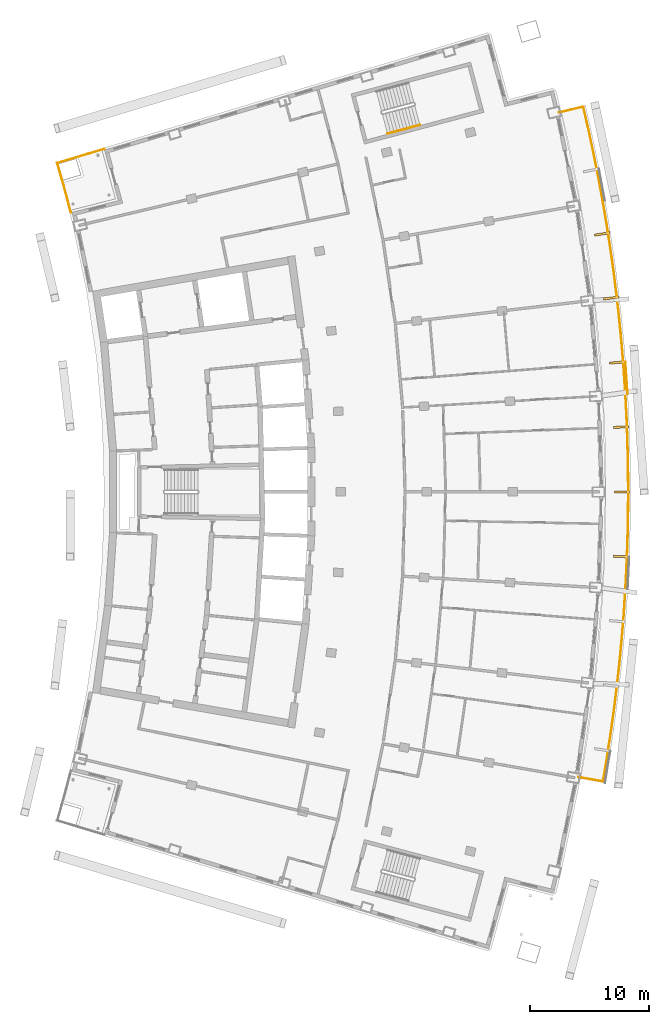
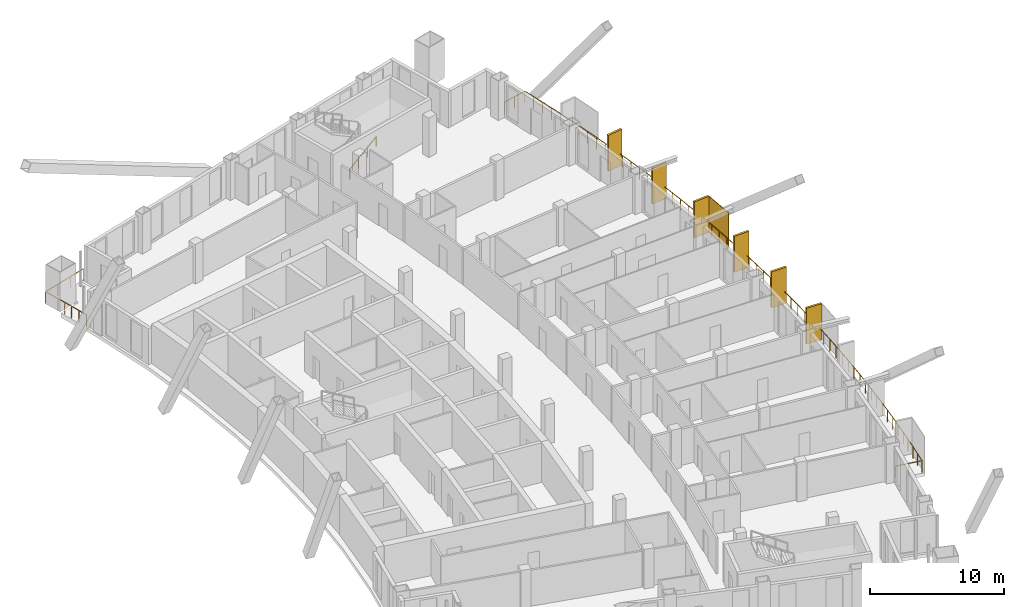
# One storey, part 18 of 19: 7 shading devices, 3 railings.
"""IFC4 building model written with IfcOpenShell, lengths in metres."""

from ifc_helpers import new_model, si_unit, direction, frame, origin, origin_2d, place, context, subcontext, project, spatial, rectangle, extrude, material, layer, layer_set, type_object, element, save


model = new_model("IFC4")

# Units and contexts
model_context = context("Model", 3, precision=1e-05, world=origin(), true_north=direction((0.0, 1.0)))
body_context = subcontext(model_context, "Body", "Model", "MODEL_VIEW")
ifc_project = project(units=[si_unit("LENGTHUNIT", "METRE"), si_unit("AREAUNIT", "SQUARE_METRE"), si_unit("VOLUMEUNIT", "CUBIC_METRE"), si_unit("PLANEANGLEUNIT", "RADIAN"), si_unit("MASSUNIT", "GRAM", prefix="KILO")], contexts=[model_context])

# Site, building, storey
site_placement = place(None, origin())
site = spatial("IfcSite", under=ifc_project, at=site_placement, CompositionType="ELEMENT")
building_placement = place(site_placement, origin())
building = spatial("IfcBuilding", under=site, at=building_placement, Name="Alderwake Tower", CompositionType="ELEMENT")
storey_placement = place(building_placement, frame((0.0, 0.0, 221.60009765625)))
storey = spatial("IfcBuildingStorey", under=building, at=storey_placement, Name="L55", CompositionType="ELEMENT", Elevation=221.60009765625)

# Railings
ifc_material_1 = material(Name="Stainless steel 316 rail and posts", Category="steel")
railing_type_1 = type_object("IfcRailingType", Name="Balcony guard 1100", PredefinedType="GUARDRAIL", material=ifc_material_1)
railing_1_placement = place(storey_placement, frame((55.71240234375, 37.10498046875, 0.0)))
element("IfcRailing", 1, at=railing_1_placement, inside=storey, type_object=railing_type_1, Name="Guard BF04", PredefinedType="GUARDRAIL", context=body_context, shape_type="SweptSolid", body=[
    extrude(rectangle(XDim=0.048095703125, YDim=0.048095703125, at=origin_2d()), frame((0.0, 0.0, 1.076171875), z_axis=(0.984840855066, -0.173460341844, 0.0), x_axis=(0.173460341844, 0.984840855066, 0.0)), (0.0, 0.0, 1.0), 2.099853515625),
    extrude(rectangle(XDim=0.048095703125, YDim=0.048095703125, at=origin_2d()), frame((2.068115234375, -0.3642578125, 1.076171875), z_axis=(0.166602347752, 0.986024166906, 0.0), x_axis=(-0.986024166906, 0.166602347752, 0.0)), (0.0, 0.0, 1.0), 1.940185546875),
    extrude(rectangle(XDim=0.048095703125, YDim=0.048095703125, at=origin_2d()), frame((2.391357421875, 1.548828125, 1.076171875), z_axis=(0.15256970672, 0.988292712, 0.0), x_axis=(-0.988292712, 0.15256970672, 0.0)), (0.0, 0.0, 1.0), 2.040283203125),
    extrude(rectangle(XDim=0.048095703125, YDim=0.048095703125, at=origin_2d()), frame((2.70263671875, 3.565185546875, 1.076171875), z_axis=(0.138086845917, 0.990420124485, 0.0), x_axis=(-0.990420124485, 0.138086845917, 0.0)), (0.0, 0.0, 1.0), 2.040283203125),
    extrude(rectangle(XDim=0.048095703125, YDim=0.048095703125, at=origin_2d()), frame((2.984375, 5.5859375, 1.076171875), z_axis=(0.123622311964, 0.992329342499, 0.0), x_axis=(-0.992329342499, 0.123622311964, 0.0)), (0.0, 0.0, 1.0), 2.0400390625),
    extrude(rectangle(XDim=0.048095703125, YDim=0.048095703125, at=origin_2d()), frame((3.236572265625, 7.6103515625, 1.076171875), z_axis=(0.109131208179, 0.994027353447, 0.0), x_axis=(-0.994027353447, 0.109131208179, 0.0)), (0.0, 0.0, 1.0), 2.040283203125),
    extrude(rectangle(XDim=0.048095703125, YDim=0.048095703125, at=origin_2d()), frame((3.459228515625, 9.638427734375, 1.076171875), z_axis=(0.094656616902, 0.995509982309, 0.0), x_axis=(-0.995509982309, 0.094656616902, 0.0)), (0.0, 0.0, 1.0), 2.040283203125),
    extrude(rectangle(XDim=0.048095703125, YDim=0.048095703125, at=origin_2d()), frame((3.65234375, 11.66943359375, 1.076171875), z_axis=(0.080173257141, 0.996780943257, 0.0), x_axis=(-0.996780943257, 0.080173257141, 0.0)), (0.0, 0.0, 1.0), 2.040283203125),
    extrude(rectangle(XDim=0.048095703125, YDim=0.048095703125, at=origin_2d()), frame((3.81591796875, 13.703125, 1.076171875), z_axis=(0.06558170629, 0.997847202632, 0.0), x_axis=(-0.997847202632, 0.06558170629, 0.0)), (0.0, 0.0, 1.0), 2.0400390625),
    extrude(rectangle(XDim=0.048095703125, YDim=0.048095703125, at=origin_2d()), frame((3.94970703125, 15.73876953125, 1.076171875), z_axis=(0.050976054049, 0.998699875795, 0.0), x_axis=(-0.998699875795, 0.050976054049, 0.0)), (0.0, 0.0, 1.0), 2.040283203125),
    extrude(rectangle(XDim=0.048095703125, YDim=0.048095703125, at=origin_2d()), frame((4.0537109375, 17.7763671875, 1.076171875), z_axis=(0.036498237791, 0.999333717353, 0.0), x_axis=(-0.999333717353, 0.036498237791, 0.0)), (0.0, 0.0, 1.0), 2.040283203125),
    extrude(rectangle(XDim=0.048095703125, YDim=0.048095703125, at=origin_2d()), frame((4.128173828125, 19.815185546875, 1.076171875), z_axis=(0.021778196829, 0.999762826946, 0.0), x_axis=(-0.999762826946, 0.021778196829, 0.0)), (0.0, 0.0, 1.0), 2.040283203125),
    extrude(rectangle(XDim=0.048095703125, YDim=0.048095703125, at=origin_2d()), frame((4.172607421875, 21.85498046875, 1.076171875), z_axis=(0.007299949097, 0.999973355017, 0.0), x_axis=(-0.999973355017, 0.007299949097, 0.0)), (0.0, 0.0, 1.0), 2.0400390625),
    extrude(rectangle(XDim=0.048095703125, YDim=0.048095703125, at=origin_2d()), frame((4.1875, 23.89501953125, 1.076171875), z_axis=(-0.007299949097, 0.999973355017, 0.0), x_axis=(-0.999973355017, -0.007299949097, 0.0)), (0.0, 0.0, 1.0), 2.0400390625),
    extrude(rectangle(XDim=0.048095703125, YDim=0.048095703125, at=origin_2d()), frame((4.172607421875, 25.93505859375, 1.076171875), z_axis=(-0.021778196829, 0.999762826946, 0.0), x_axis=(-0.999762826946, -0.021778196829, 0.0)), (0.0, 0.0, 1.0), 2.040283203125),
    extrude(rectangle(XDim=0.048095703125, YDim=0.048095703125, at=origin_2d()), frame((4.128173828125, 27.974853515625, 1.076171875), z_axis=(-0.036498237791, 0.999333717353, 0.0), x_axis=(-0.999333717353, -0.036498237791, 0.0)), (0.0, 0.0, 1.0), 2.040283203125),
    extrude(rectangle(XDim=0.048095703125, YDim=0.048095703125, at=origin_2d()), frame((4.0537109375, 30.013671875, 1.076171875), z_axis=(-0.050976054049, 0.998699875795, 0.0), x_axis=(-0.998699875795, -0.050976054049, 0.0)), (0.0, 0.0, 1.0), 2.040283203125),
    extrude(rectangle(XDim=0.048095703125, YDim=0.048095703125, at=origin_2d()), frame((3.94970703125, 32.05126953125, 1.076171875), z_axis=(-0.06558170629, 0.997847202632, 0.0), x_axis=(-0.997847202632, -0.06558170629, 0.0)), (0.0, 0.0, 1.0), 2.0400390625),
    extrude(rectangle(XDim=0.048095703125, YDim=0.048095703125, at=origin_2d()), frame((3.81591796875, 34.0869140625, 1.076171875), z_axis=(-0.080173257141, 0.996780943257, 0.0), x_axis=(-0.996780943257, -0.080173257141, 0.0)), (0.0, 0.0, 1.0), 2.040283203125),
    extrude(rectangle(XDim=0.048095703125, YDim=0.048095703125, at=origin_2d()), frame((3.65234375, 36.12060546875, 1.076171875), z_axis=(-0.094656616902, 0.995509982309, 0.0), x_axis=(-0.995509982309, -0.094656616902, 0.0)), (0.0, 0.0, 1.0), 2.040283203125),
    extrude(rectangle(XDim=0.048095703125, YDim=0.048095703125, at=origin_2d()), frame((3.459228515625, 38.151611328125, 1.076171875), z_axis=(-0.109131208179, 0.994027353447, 0.0), x_axis=(-0.994027353447, -0.109131208179, 0.0)), (0.0, 0.0, 1.0), 2.040283203125),
    extrude(rectangle(XDim=0.048095703125, YDim=0.048095703125, at=origin_2d()), frame((3.236572265625, 40.1796875, 1.076171875), z_axis=(-0.123622311964, 0.992329342499, 0.0), x_axis=(-0.992329342499, -0.123622311964, 0.0)), (0.0, 0.0, 1.0), 2.0400390625),
    extrude(rectangle(XDim=0.048095703125, YDim=0.048095703125, at=origin_2d()), frame((2.984375, 42.2041015625, 1.076171875), z_axis=(-0.138086845917, 0.990420124485, 0.0), x_axis=(-0.990420124485, -0.138086845917, 0.0)), (0.0, 0.0, 1.0), 2.040283203125),
    extrude(rectangle(XDim=0.048095703125, YDim=0.048095703125, at=origin_2d()), frame((2.70263671875, 44.224853515625, 1.076171875), z_axis=(-0.15256970672, 0.988292712, 0.0), x_axis=(-0.988292712, -0.15256970672, 0.0)), (0.0, 0.0, 1.0), 2.040283203125),
    extrude(rectangle(XDim=0.048095703125, YDim=0.048095703125, at=origin_2d()), frame((2.391357421875, 46.2412109375, 1.076171875), z_axis=(-0.166940635235, 0.985966948892, 0.0), x_axis=(-0.985966948892, -0.166940635235, 0.0)), (0.0, 0.0, 1.0), 2.0400390625),
    extrude(rectangle(XDim=0.048095703125, YDim=0.048095703125, at=origin_2d()), frame((2.05078125, 48.252685546875, 1.076171875), z_axis=(-0.181296442704, 0.983428492501, 0.0), x_axis=(-0.983428492501, -0.181296442704, 0.0)), (0.0, 0.0, 1.0), 2.0400390625),
    extrude(rectangle(XDim=0.048095703125, YDim=0.048095703125, at=origin_2d()), frame((1.680908203125, 50.259033203125, 1.076171875), z_axis=(-0.195517818896, 0.980700149125, 0.0), x_axis=(-0.980700149125, -0.195517818896, 0.0)), (0.0, 0.0, 1.0), 2.040283203125),
    extrude(rectangle(XDim=0.048095703125, YDim=0.048095703125, at=origin_2d()), frame((1.281982421875, 52.260009765625, 1.076171875), z_axis=(-0.209905019047, 0.977721781991, 0.0), x_axis=(-0.977721781991, -0.209905019047, 0.0)), (0.0, 0.0, 1.0), 2.0400390625),
    extrude(rectangle(XDim=0.048095703125, YDim=0.048095703125, at=origin_2d()), frame((0.853759765625, 54.254638671875, 1.076171875), z_axis=(-0.22386682062, 0.974619744632, 0.0), x_axis=(-0.974619744632, -0.22386682062, 0.0)), (0.0, 0.0, 1.0), 1.940185546875),
    extrude(rectangle(XDim=0.048095703125, YDim=0.048095703125, at=origin_2d()), frame((0.41943359375, 56.1455078125, 1.076171875), z_axis=(-0.973089892327, -0.230425826355, 0.0), x_axis=(0.230425826355, -0.973089892327, 0.0)), (0.0, 0.0, 1.0), 2.099853515625),
    extrude(rectangle(XDim=0.0419921875, YDim=0.0419921875, at=origin_2d()), frame((0.0, 0.0, 0.0), z_axis=(0.0, 0.0, 1.0), x_axis=(0.984840855066, -0.173460341844, 0.0)), (0.0, 0.0, 1.0), 1.052001953125),
    extrude(rectangle(XDim=0.0419921875, YDim=0.0419921875, at=origin_2d()), frame((1.0341796875, -0.18212890625, 0.0), z_axis=(0.0, 0.0, 1.0), x_axis=(0.984840855066, -0.173460341844, 0.0)), (0.0, 0.0, 1.0), 1.052001953125),
    extrude(rectangle(XDim=0.0419921875, YDim=0.0419921875, at=origin_2d()), frame((2.068115234375, -0.3642578125, 0.0), z_axis=(0.0, 0.0, 1.0), x_axis=(0.166602347752, 0.986024166906, 0.0)), (0.0, 0.0, 1.0), 1.052001953125),
    extrude(rectangle(XDim=0.0419921875, YDim=0.0419921875, at=origin_2d()), frame((2.229736328125, 0.59228515625, 0.0), z_axis=(0.0, 0.0, 1.0), x_axis=(0.166602347752, 0.986024166906, 0.0)), (0.0, 0.0, 1.0), 1.052001953125),
    extrude(rectangle(XDim=0.0419921875, YDim=0.0419921875, at=origin_2d()), frame((2.391357421875, 1.548828125, 0.0), z_axis=(0.0, 0.0, 1.0), x_axis=(0.15256970672, 0.988292712, 0.0)), (0.0, 0.0, 1.0), 1.052001953125),
    extrude(rectangle(XDim=0.0419921875, YDim=0.0419921875, at=origin_2d()), frame((2.546875, 2.55712890625, 0.0), z_axis=(0.0, 0.0, 1.0), x_axis=(0.15256970672, 0.988292712, 0.0)), (0.0, 0.0, 1.0), 1.052001953125),
    extrude(rectangle(XDim=0.0419921875, YDim=0.0419921875, at=origin_2d()), frame((2.70263671875, 3.565185546875, 0.0), z_axis=(0.0, 0.0, 1.0), x_axis=(0.138086845917, 0.990420124485, 0.0)), (0.0, 0.0, 1.0), 1.052001953125),
    extrude(rectangle(XDim=0.0419921875, YDim=0.0419921875, at=origin_2d()), frame((2.843505859375, 4.57568359375, 0.0), z_axis=(0.0, 0.0, 1.0), x_axis=(0.138086845917, 0.990420124485, 0.0)), (0.0, 0.0, 1.0), 1.052001953125),
    extrude(rectangle(XDim=0.0419921875, YDim=0.0419921875, at=origin_2d()), frame((2.984375, 5.5859375, 0.0), z_axis=(0.0, 0.0, 1.0), x_axis=(0.123622311964, 0.992329342499, 0.0)), (0.0, 0.0, 1.0), 1.052001953125),
    extrude(rectangle(XDim=0.0419921875, YDim=0.0419921875, at=origin_2d()), frame((3.1103515625, 6.59814453125, 0.0), z_axis=(0.0, 0.0, 1.0), x_axis=(0.123622311964, 0.992329342499, 0.0)), (0.0, 0.0, 1.0), 1.052001953125),
    extrude(rectangle(XDim=0.0419921875, YDim=0.0419921875, at=origin_2d()), frame((3.236572265625, 7.6103515625, 0.0), z_axis=(0.0, 0.0, 1.0), x_axis=(0.109131208179, 0.994027353447, 0.0)), (0.0, 0.0, 1.0), 1.052001953125),
    extrude(rectangle(XDim=0.0419921875, YDim=0.0419921875, at=origin_2d()), frame((3.347900390625, 8.62451171875, 0.0), z_axis=(0.0, 0.0, 1.0), x_axis=(0.109131208179, 0.994027353447, 0.0)), (0.0, 0.0, 1.0), 1.052001953125),
    extrude(rectangle(XDim=0.0419921875, YDim=0.0419921875, at=origin_2d()), frame((3.459228515625, 9.638427734375, 0.0), z_axis=(0.0, 0.0, 1.0), x_axis=(0.094656616902, 0.995509982309, 0.0)), (0.0, 0.0, 1.0), 1.052001953125),
    extrude(rectangle(XDim=0.0419921875, YDim=0.0419921875, at=origin_2d()), frame((3.5556640625, 10.65380859375, 0.0), z_axis=(0.0, 0.0, 1.0), x_axis=(0.094656616902, 0.995509982309, 0.0)), (0.0, 0.0, 1.0), 1.052001953125),
    extrude(rectangle(XDim=0.0419921875, YDim=0.0419921875, at=origin_2d()), frame((3.65234375, 11.66943359375, 0.0), z_axis=(0.0, 0.0, 1.0), x_axis=(0.080173257141, 0.996780943257, 0.0)), (0.0, 0.0, 1.0), 1.052001953125),
    extrude(rectangle(XDim=0.0419921875, YDim=0.0419921875, at=origin_2d()), frame((3.734130859375, 12.686279296875, 0.0), z_axis=(0.0, 0.0, 1.0), x_axis=(0.080173257141, 0.996780943257, 0.0)), (0.0, 0.0, 1.0), 1.052001953125),
    extrude(rectangle(XDim=0.0419921875, YDim=0.0419921875, at=origin_2d()), frame((3.81591796875, 13.703125, 0.0), z_axis=(0.0, 0.0, 1.0), x_axis=(0.06558170629, 0.997847202632, 0.0)), (0.0, 0.0, 1.0), 1.052001953125),
    extrude(rectangle(XDim=0.0419921875, YDim=0.0419921875, at=origin_2d()), frame((3.8828125, 14.720947265625, 0.0), z_axis=(0.0, 0.0, 1.0), x_axis=(0.06558170629, 0.997847202632, 0.0)), (0.0, 0.0, 1.0), 1.052001953125),
    extrude(rectangle(XDim=0.0419921875, YDim=0.0419921875, at=origin_2d()), frame((3.94970703125, 15.73876953125, 0.0), z_axis=(0.0, 0.0, 1.0), x_axis=(0.050976054049, 0.998699875795, 0.0)), (0.0, 0.0, 1.0), 1.052001953125),
    extrude(rectangle(XDim=0.0419921875, YDim=0.0419921875, at=origin_2d()), frame((4.001708984375, 16.757568359375, 0.0), z_axis=(0.0, 0.0, 1.0), x_axis=(0.050976054049, 0.998699875795, 0.0)), (0.0, 0.0, 1.0), 1.052001953125),
    extrude(rectangle(XDim=0.0419921875, YDim=0.0419921875, at=origin_2d()), frame((4.0537109375, 17.7763671875, 0.0), z_axis=(0.0, 0.0, 1.0), x_axis=(0.036498237791, 0.999333717353, 0.0)), (0.0, 0.0, 1.0), 1.052001953125),
    extrude(rectangle(XDim=0.0419921875, YDim=0.0419921875, at=origin_2d()), frame((4.0908203125, 18.7958984375, 0.0), z_axis=(0.0, 0.0, 1.0), x_axis=(0.036498237791, 0.999333717353, 0.0)), (0.0, 0.0, 1.0), 1.052001953125),
    extrude(rectangle(XDim=0.0419921875, YDim=0.0419921875, at=origin_2d()), frame((4.128173828125, 19.815185546875, 0.0), z_axis=(0.0, 0.0, 1.0), x_axis=(0.021778196829, 0.999762826946, 0.0)), (0.0, 0.0, 1.0), 1.052001953125),
    extrude(rectangle(XDim=0.0419921875, YDim=0.0419921875, at=origin_2d()), frame((4.150390625, 20.8349609375, 0.0), z_axis=(0.0, 0.0, 1.0), x_axis=(0.021778196829, 0.999762826946, 0.0)), (0.0, 0.0, 1.0), 1.052001953125),
    extrude(rectangle(XDim=0.0419921875, YDim=0.0419921875, at=origin_2d()), frame((4.172607421875, 21.85498046875, 0.0), z_axis=(0.0, 0.0, 1.0), x_axis=(0.007299949097, 0.999973355017, 0.0)), (0.0, 0.0, 1.0), 1.052001953125),
    extrude(rectangle(XDim=0.0419921875, YDim=0.0419921875, at=origin_2d()), frame((4.18017578125, 22.875, 0.0), z_axis=(0.0, 0.0, 1.0), x_axis=(0.007299949097, 0.999973355017, 0.0)), (0.0, 0.0, 1.0), 1.052001953125),
    extrude(rectangle(XDim=0.0419921875, YDim=0.0419921875, at=origin_2d()), frame((4.1875, 23.89501953125, 0.0), z_axis=(0.0, 0.0, 1.0), x_axis=(-0.007299949097, 0.999973355017, 0.0)), (0.0, 0.0, 1.0), 1.052001953125),
    extrude(rectangle(XDim=0.0419921875, YDim=0.0419921875, at=origin_2d()), frame((4.18017578125, 24.9150390625, 0.0), z_axis=(0.0, 0.0, 1.0), x_axis=(-0.007299949097, 0.999973355017, 0.0)), (0.0, 0.0, 1.0), 1.052001953125),
    extrude(rectangle(XDim=0.0419921875, YDim=0.0419921875, at=origin_2d()), frame((4.172607421875, 25.93505859375, 0.0), z_axis=(0.0, 0.0, 1.0), x_axis=(-0.021778196829, 0.999762826946, 0.0)), (0.0, 0.0, 1.0), 1.052001953125),
    extrude(rectangle(XDim=0.0419921875, YDim=0.0419921875, at=origin_2d()), frame((4.150390625, 26.955078125, 0.0), z_axis=(0.0, 0.0, 1.0), x_axis=(-0.021778196829, 0.999762826946, 0.0)), (0.0, 0.0, 1.0), 1.052001953125),
    extrude(rectangle(XDim=0.0419921875, YDim=0.0419921875, at=origin_2d()), frame((4.128173828125, 27.974853515625, 0.0), z_axis=(0.0, 0.0, 1.0), x_axis=(-0.036498237791, 0.999333717353, 0.0)), (0.0, 0.0, 1.0), 1.052001953125),
    extrude(rectangle(XDim=0.0419921875, YDim=0.0419921875, at=origin_2d()), frame((4.0908203125, 28.994140625, 0.0), z_axis=(0.0, 0.0, 1.0), x_axis=(-0.036498237791, 0.999333717353, 0.0)), (0.0, 0.0, 1.0), 1.052001953125),
    extrude(rectangle(XDim=0.0419921875, YDim=0.0419921875, at=origin_2d()), frame((4.0537109375, 30.013671875, 0.0), z_axis=(0.0, 0.0, 1.0), x_axis=(-0.050976054049, 0.998699875795, 0.0)), (0.0, 0.0, 1.0), 1.052001953125),
    extrude(rectangle(XDim=0.0419921875, YDim=0.0419921875, at=origin_2d()), frame((4.001708984375, 31.032470703125, 0.0), z_axis=(0.0, 0.0, 1.0), x_axis=(-0.050976054049, 0.998699875795, 0.0)), (0.0, 0.0, 1.0), 1.052001953125),
    extrude(rectangle(XDim=0.0419921875, YDim=0.0419921875, at=origin_2d()), frame((3.94970703125, 32.05126953125, 0.0), z_axis=(0.0, 0.0, 1.0), x_axis=(-0.06558170629, 0.997847202632, 0.0)), (0.0, 0.0, 1.0), 1.052001953125),
    extrude(rectangle(XDim=0.0419921875, YDim=0.0419921875, at=origin_2d()), frame((3.8828125, 33.069091796875, 0.0), z_axis=(0.0, 0.0, 1.0), x_axis=(-0.06558170629, 0.997847202632, 0.0)), (0.0, 0.0, 1.0), 1.052001953125),
    extrude(rectangle(XDim=0.0419921875, YDim=0.0419921875, at=origin_2d()), frame((3.81591796875, 34.0869140625, 0.0), z_axis=(0.0, 0.0, 1.0), x_axis=(-0.080173257141, 0.996780943257, 0.0)), (0.0, 0.0, 1.0), 1.052001953125),
    extrude(rectangle(XDim=0.0419921875, YDim=0.0419921875, at=origin_2d()), frame((3.734130859375, 35.103759765625, 0.0), z_axis=(0.0, 0.0, 1.0), x_axis=(-0.080173257141, 0.996780943257, 0.0)), (0.0, 0.0, 1.0), 1.052001953125),
    extrude(rectangle(XDim=0.0419921875, YDim=0.0419921875, at=origin_2d()), frame((3.65234375, 36.12060546875, 0.0), z_axis=(0.0, 0.0, 1.0), x_axis=(-0.094656616902, 0.995509982309, 0.0)), (0.0, 0.0, 1.0), 1.052001953125),
    extrude(rectangle(XDim=0.0419921875, YDim=0.0419921875, at=origin_2d()), frame((3.5556640625, 37.13623046875, 0.0), z_axis=(0.0, 0.0, 1.0), x_axis=(-0.094656616902, 0.995509982309, 0.0)), (0.0, 0.0, 1.0), 1.052001953125),
    extrude(rectangle(XDim=0.0419921875, YDim=0.0419921875, at=origin_2d()), frame((3.459228515625, 38.151611328125, 0.0), z_axis=(0.0, 0.0, 1.0), x_axis=(-0.109131208179, 0.994027353447, 0.0)), (0.0, 0.0, 1.0), 1.052001953125),
    extrude(rectangle(XDim=0.0419921875, YDim=0.0419921875, at=origin_2d()), frame((3.347900390625, 39.16552734375, 0.0), z_axis=(0.0, 0.0, 1.0), x_axis=(-0.109131208179, 0.994027353447, 0.0)), (0.0, 0.0, 1.0), 1.052001953125),
    extrude(rectangle(XDim=0.0419921875, YDim=0.0419921875, at=origin_2d()), frame((3.236572265625, 40.1796875, 0.0), z_axis=(0.0, 0.0, 1.0), x_axis=(-0.123622311964, 0.992329342499, 0.0)), (0.0, 0.0, 1.0), 1.052001953125),
    extrude(rectangle(XDim=0.0419921875, YDim=0.0419921875, at=origin_2d()), frame((3.1103515625, 41.19189453125, 0.0), z_axis=(0.0, 0.0, 1.0), x_axis=(-0.123622311964, 0.992329342499, 0.0)), (0.0, 0.0, 1.0), 1.052001953125),
    extrude(rectangle(XDim=0.0419921875, YDim=0.0419921875, at=origin_2d()), frame((2.984375, 42.2041015625, 0.0), z_axis=(0.0, 0.0, 1.0), x_axis=(-0.138086845917, 0.990420124485, 0.0)), (0.0, 0.0, 1.0), 1.052001953125),
    extrude(rectangle(XDim=0.0419921875, YDim=0.0419921875, at=origin_2d()), frame((2.843505859375, 43.21435546875, 0.0), z_axis=(0.0, 0.0, 1.0), x_axis=(-0.138086845917, 0.990420124485, 0.0)), (0.0, 0.0, 1.0), 1.052001953125),
    extrude(rectangle(XDim=0.0419921875, YDim=0.0419921875, at=origin_2d()), frame((2.70263671875, 44.224853515625, 0.0), z_axis=(0.0, 0.0, 1.0), x_axis=(-0.15256970672, 0.988292712, 0.0)), (0.0, 0.0, 1.0), 1.052001953125),
    extrude(rectangle(XDim=0.0419921875, YDim=0.0419921875, at=origin_2d()), frame((2.546875, 45.23291015625, 0.0), z_axis=(0.0, 0.0, 1.0), x_axis=(-0.15256970672, 0.988292712, 0.0)), (0.0, 0.0, 1.0), 1.052001953125),
    extrude(rectangle(XDim=0.0419921875, YDim=0.0419921875, at=origin_2d()), frame((2.391357421875, 46.2412109375, 0.0), z_axis=(0.0, 0.0, 1.0), x_axis=(-0.166940635235, 0.985966948892, 0.0)), (0.0, 0.0, 1.0), 1.052001953125),
    extrude(rectangle(XDim=0.0419921875, YDim=0.0419921875, at=origin_2d()), frame((2.22119140625, 47.2470703125, 0.0), z_axis=(0.0, 0.0, 1.0), x_axis=(-0.166940635235, 0.985966948892, 0.0)), (0.0, 0.0, 1.0), 1.052001953125),
    extrude(rectangle(XDim=0.0419921875, YDim=0.0419921875, at=origin_2d()), frame((2.05078125, 48.252685546875, 0.0), z_axis=(0.0, 0.0, 1.0), x_axis=(-0.181296442704, 0.983428492501, 0.0)), (0.0, 0.0, 1.0), 1.052001953125),
    extrude(rectangle(XDim=0.0419921875, YDim=0.0419921875, at=origin_2d()), frame((1.86572265625, 49.255859375, 0.0), z_axis=(0.0, 0.0, 1.0), x_axis=(-0.181296442704, 0.983428492501, 0.0)), (0.0, 0.0, 1.0), 1.052001953125),
    extrude(rectangle(XDim=0.0419921875, YDim=0.0419921875, at=origin_2d()), frame((1.680908203125, 50.259033203125, 0.0), z_axis=(0.0, 0.0, 1.0), x_axis=(-0.195517818896, 0.980700149125, 0.0)), (0.0, 0.0, 1.0), 1.052001953125),
    extrude(rectangle(XDim=0.0419921875, YDim=0.0419921875, at=origin_2d()), frame((1.4814453125, 51.259521484375, 0.0), z_axis=(0.0, 0.0, 1.0), x_axis=(-0.195517818896, 0.980700149125, 0.0)), (0.0, 0.0, 1.0), 1.052001953125),
    extrude(rectangle(XDim=0.0419921875, YDim=0.0419921875, at=origin_2d()), frame((1.281982421875, 52.260009765625, 0.0), z_axis=(0.0, 0.0, 1.0), x_axis=(-0.209905019047, 0.977721781991, 0.0)), (0.0, 0.0, 1.0), 1.052001953125),
    extrude(rectangle(XDim=0.0419921875, YDim=0.0419921875, at=origin_2d()), frame((1.06787109375, 53.25732421875, 0.0), z_axis=(0.0, 0.0, 1.0), x_axis=(-0.209905019047, 0.977721781991, 0.0)), (0.0, 0.0, 1.0), 1.052001953125),
    extrude(rectangle(XDim=0.0419921875, YDim=0.0419921875, at=origin_2d()), frame((0.853759765625, 54.254638671875, 0.0), z_axis=(0.0, 0.0, 1.0), x_axis=(-0.22386682062, 0.974619744632, 0.0)), (0.0, 0.0, 1.0), 1.052001953125),
    extrude(rectangle(XDim=0.0419921875, YDim=0.0419921875, at=origin_2d()), frame((0.63671875, 55.2001953125, 0.0), z_axis=(0.0, 0.0, 1.0), x_axis=(-0.22386682062, 0.974619744632, 0.0)), (0.0, 0.0, 1.0), 1.052001953125),
    extrude(rectangle(XDim=0.0419921875, YDim=0.0419921875, at=origin_2d()), frame((0.41943359375, 56.1455078125, 0.0), z_axis=(0.0, 0.0, 1.0), x_axis=(-0.973089892327, -0.230425826355, 0.0)), (0.0, 0.0, 1.0), 1.052001953125),
    extrude(rectangle(XDim=0.0419921875, YDim=0.0419921875, at=origin_2d()), frame((-0.602294921875, 55.903564453125, 0.0), z_axis=(0.0, 0.0, 1.0), x_axis=(-0.973089892327, -0.230425826355, 0.0)), (0.0, 0.0, 1.0), 1.052001953125),
    extrude(rectangle(XDim=0.0419921875, YDim=0.0419921875, at=origin_2d()), frame((-1.6240234375, 55.66162109375, 0.0), z_axis=(0.0, 0.0, 1.0), x_axis=(-0.973089892327, -0.230425826355, 0.0)), (0.0, 0.0, 1.0), 1.052001953125),
])
railing_2_placement = place(storey_placement, frame((13.210693359375, 84.387451171875, 0.0)))
element("IfcRailing", 2, at=railing_2_placement, inside=storey, type_object=railing_type_1, Name="Guard terrace RN", PredefinedType="GUARDRAIL", context=body_context, shape_type="SweptSolid", body=[
    extrude(rectangle(XDim=0.048095703125, YDim=0.048095703125, at=origin_2d()), frame((0.0, 0.0, 1.076171875), z_axis=(-0.251385381433, 0.967887075026, 0.0), x_axis=(-0.967887075026, -0.251385381433, 0.0)), (0.0, 0.0, 1.0), 1.6015625),
    extrude(rectangle(XDim=0.048095703125, YDim=0.048095703125, at=origin_2d()), frame((-0.402587890625, 1.550048828125, 1.076171875), z_axis=(-0.266520638672, 0.963829211615, 0.0), x_axis=(-0.963829211615, -0.266520638672, 0.0)), (0.0, 0.0, 1.0), 1.401611328125),
    extrude(rectangle(XDim=0.048095703125, YDim=0.048095703125, at=origin_2d()), frame((-0.776123046875, 2.90087890625, 1.076171875), z_axis=(-0.280093650878, 0.959972680204, 0.0), x_axis=(-0.959972680204, -0.280093650878, 0.0)), (0.0, 0.0, 1.0), 1.30126953125),
    extrude(rectangle(XDim=0.048095703125, YDim=0.048095703125, at=origin_2d()), frame((-1.140625, 4.150146484375, 1.076171875), z_axis=(0.958066871889, 0.286544706789, 0.0), x_axis=(-0.286544706789, 0.958066871889, 0.0)), (0.0, 0.0, 1.0), 4.099853515625),
    extrude(rectangle(XDim=0.0419921875, YDim=0.0419921875, at=origin_2d()), frame((0.0, 0.0, 0.0), z_axis=(0.0, 0.0, 1.0), x_axis=(-0.251385381433, 0.967887075026, 0.0)), (0.0, 0.0, 1.0), 1.052001953125),
    extrude(rectangle(XDim=0.0419921875, YDim=0.0419921875, at=origin_2d()), frame((-0.201171875, 0.77490234375, 0.0), z_axis=(0.0, 0.0, 1.0), x_axis=(-0.251385381433, 0.967887075026, 0.0)), (0.0, 0.0, 1.0), 1.052001953125),
    extrude(rectangle(XDim=0.0419921875, YDim=0.0419921875, at=origin_2d()), frame((-0.402587890625, 1.550048828125, 0.0), z_axis=(0.0, 0.0, 1.0), x_axis=(-0.266520638672, 0.963829211615, 0.0)), (0.0, 0.0, 1.0), 1.052001953125),
    extrude(rectangle(XDim=0.0419921875, YDim=0.0419921875, at=origin_2d()), frame((-0.58935546875, 2.2255859375, 0.0), z_axis=(0.0, 0.0, 1.0), x_axis=(-0.266520638672, 0.963829211615, 0.0)), (0.0, 0.0, 1.0), 1.052001953125),
    extrude(rectangle(XDim=0.0419921875, YDim=0.0419921875, at=origin_2d()), frame((-0.776123046875, 2.90087890625, 0.0), z_axis=(0.0, 0.0, 1.0), x_axis=(-0.280093650878, 0.959972680204, 0.0)), (0.0, 0.0, 1.0), 1.052001953125),
    extrude(rectangle(XDim=0.0419921875, YDim=0.0419921875, at=origin_2d()), frame((-1.140625, 4.150146484375, 0.0), z_axis=(0.0, 0.0, 1.0), x_axis=(0.958066871889, 0.286544706789, 0.0)), (0.0, 0.0, 1.0), 1.052001953125),
    extrude(rectangle(XDim=0.0419921875, YDim=0.0419921875, at=origin_2d()), frame((0.168701171875, 4.541748046875, 0.0), z_axis=(0.0, 0.0, 1.0), x_axis=(0.958066871889, 0.286544706789, 0.0)), (0.0, 0.0, 1.0), 1.052001953125),
    extrude(rectangle(XDim=0.0419921875, YDim=0.0419921875, at=origin_2d()), frame((1.47802734375, 4.933349609375, 0.0), z_axis=(0.0, 0.0, 1.0), x_axis=(0.958066871889, 0.286544706789, 0.0)), (0.0, 0.0, 1.0), 1.052001953125),
    extrude(rectangle(XDim=0.0419921875, YDim=0.0419921875, at=origin_2d()), frame((2.787353515625, 5.324951171875, 0.0), z_axis=(0.0, 0.0, 1.0), x_axis=(0.958066871889, 0.286544706789, 0.0)), (0.0, 0.0, 1.0), 1.052001953125),
])

# Shading devices
ifc_material_2 = material(Name="Bronze anodised aluminium", Category="aluminium")
ifc_layer_1 = layer(ifc_material_2, 0.179931640625)
ifc_layer_set_1 = layer_set([ifc_layer_1], Name="Facade fin 1300")
shading_device_type_1 = type_object("IfcShadingDeviceType", Name="Facade fin 1300", PredefinedType="USERDEFINED", material=ifc_layer_set_1)
for number, where, z_axis, x_axis, name in (
    (3, (59.29443359375, 55.57861328125, 0.0), (0.0, 0.0, 1.0), (0.999243494356, -0.038890088543, 0.0), "Fin"),
    (4, (59.39990234375, 61.0, 0.0), (0.0, 0.0, 1.0), (1.0, 0.0, 0.0), "Fin"),
    (5, (59.29443359375, 66.42138671875, 0.0), (0.0, 0.0, 1.0), (0.999243494356, 0.038890088543, 0.0), "Fin"),
    (6, (58.978271484375, 71.83447265625, 0.0), (0.0, 0.0, 1.0), (0.996975122026, 0.077721335943, 0.0), "Fin"),
    (7, (58.451904296875, 77.231201171875, 0.0), (0.0, 0.0, 1.0), (0.993198315083, 0.116434990084, 0.0), "Fin"),
    (8, (57.7158203125, 82.603271484375, 0.0), (0.0, 0.0, 1.0), (0.987918787879, 0.154972476771, 0.0), "Fin"),
):
    element("IfcShadingDevice", number, at=place(storey_placement, frame(where, z_axis=z_axis, x_axis=x_axis)), inside=storey, type_object=shading_device_type_1, Name=name, ObjectType="FIN", PredefinedType="USERDEFINED", context=body_context, shape_type="SweptSolid", body=[
        extrude(rectangle(XDim=1.300048828125, YDim=0.179931640625, at=origin_2d()), origin(), (0.0, 0.0, 1.0), 3.280029296875),
    ])
ifc_material_3 = material(Name="Perforated bronze anodised aluminium", Category="aluminium")
ifc_layer_2 = layer(ifc_material_3, 0.050048828125)
ifc_layer_set_2 = layer_set([ifc_layer_2], Name="Perforated screen panel")
shading_device_type_2 = type_object("IfcShadingDeviceType", Name="Perforated screen panel", PredefinedType="USERDEFINED", material=ifc_layer_set_2)
shading_device_placement = place(storey_placement, frame((59.744140625, 70.5244140625, 0.0), z_axis=(0.0, 0.0, 1.0), x_axis=(0.997685465774, 0.067997877779, 0.0)))
element("IfcShadingDevice", 9, at=shading_device_placement, inside=storey, type_object=shading_device_type_2, Name="Screen panel", ObjectType="SCREEN", PredefinedType="USERDEFINED", context=body_context, shape_type="SweptSolid", body=[
    extrude(rectangle(XDim=0.050048828125, YDim=2.7314453125, at=origin_2d()), origin(), (0.0, 0.0, 1.0), 3.280029296875),
])

# Railing
ifc_material_4 = material(Name="Stainless steel handrail", Category="steel")
railing_type_2 = type_object("IfcRailingType", Name="Stair handrail 900", PredefinedType="HANDRAIL", material=ifc_material_4)
railing_3_placement = place(storey_placement, frame((39.731689453125, 91.002685546875, 0.16357421875)))
element("IfcRailing", 10, at=railing_3_placement, inside=storey, type_object=railing_type_2, Name="L55 ST-A stair handrail 1", PredefinedType="HANDRAIL", context=body_context, shape_type="SweptSolid", body=[
    extrude(rectangle(XDim=0.048095703125, YDim=0.048095703125, at=origin_2d()), frame((0.0, 0.0, 0.8759765625), z_axis=(0.834290631165, 0.222236594766, 0.504549342183), x_axis=(-0.257402139082, 0.966304371715, 0.0)), (0.0, 0.0, 1.0), 3.242919921875),
    extrude(rectangle(XDim=0.0419921875, YDim=0.0419921875, at=origin_2d()), frame((0.0, 0.0, 0.0), z_axis=(0.0, 0.0, 1.0), x_axis=(0.966304371715, 0.257402139082, 0.0)), (0.0, 0.0, 1.0), 0.851806640625),
    extrude(rectangle(XDim=0.0419921875, YDim=0.0419921875, at=origin_2d()), frame((0.90185546875, 0.240234375, 0.54541015625), z_axis=(0.0, 0.0, 1.0), x_axis=(0.966304371715, 0.257402139082, 0.0)), (0.0, 0.0, 1.0), 0.851806640625),
    extrude(rectangle(XDim=0.0419921875, YDim=0.0419921875, at=origin_2d()), frame((1.8037109375, 0.48046875, 1.0908203125), z_axis=(0.0, 0.0, 1.0), x_axis=(0.966304371715, 0.257402139082, 0.0)), (0.0, 0.0, 1.0), 0.851806640625),
    extrude(rectangle(XDim=0.0419921875, YDim=0.0419921875, at=origin_2d()), frame((2.70556640625, 0.720703125, 1.63623046875), z_axis=(0.0, 0.0, 1.0), x_axis=(0.966304371715, 0.257402139082, 0.0)), (0.0, 0.0, 1.0), 0.851806640625),
])

save(model, "model.ifc")
